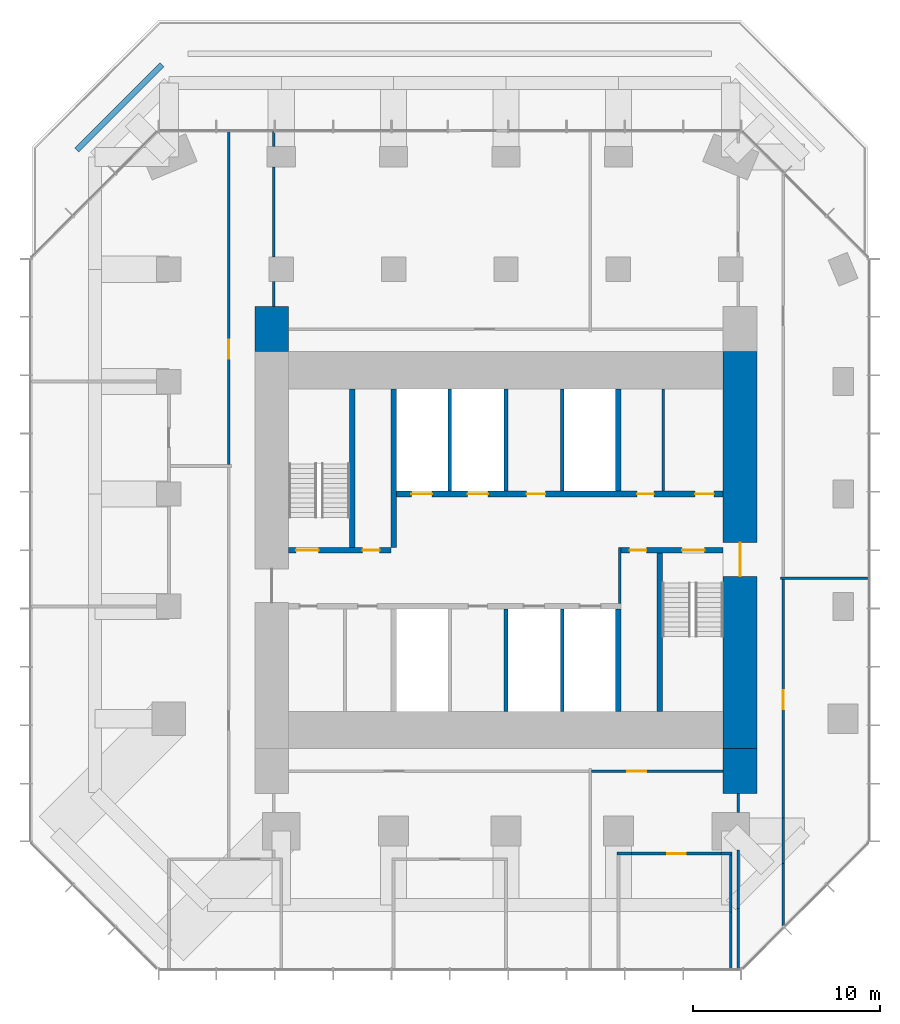
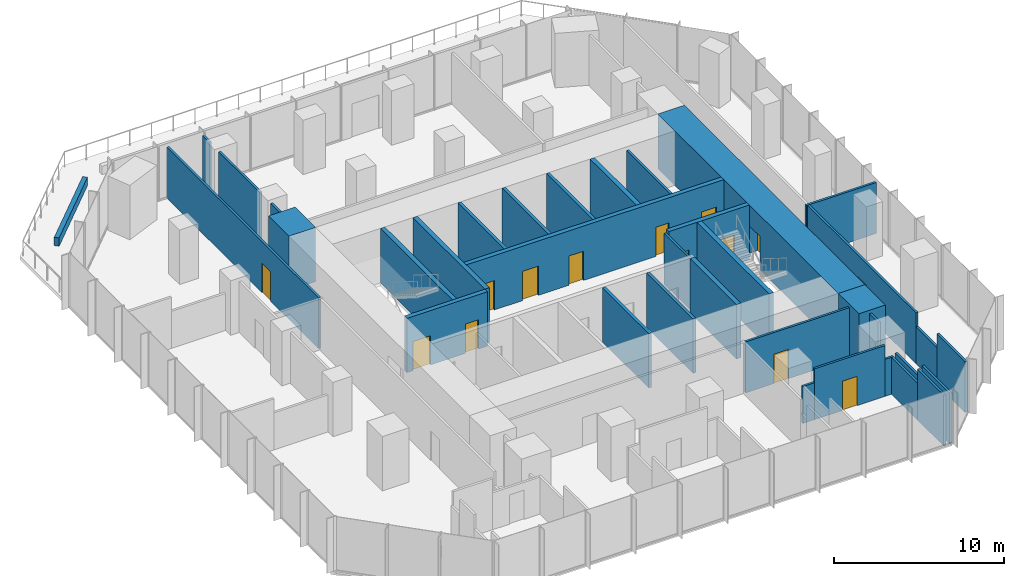
# One storey, part 9 of 11: 36 walls, 14 doors, 14 openings.
"""IFC4 building model written with IfcOpenShell, lengths in metres."""

from ifc_helpers import new_model, si_unit, direction, frame, frame_2d, origin, place, context, subcontext, project, spatial, rectangle, extrude, material, layer, layer_set, type_object, element, fill, save


model = new_model("IFC4")

# Units and contexts
model_context = context("Model", 3, precision=1e-05, world=origin(), true_north=direction((0.0, 1.0)))
body_context = subcontext(model_context, "Body", "Model", "MODEL_VIEW")
ifc_project = project(units=[si_unit("LENGTHUNIT", "METRE"), si_unit("AREAUNIT", "SQUARE_METRE"), si_unit("VOLUMEUNIT", "CUBIC_METRE"), si_unit("PLANEANGLEUNIT", "RADIAN"), si_unit("MASSUNIT", "GRAM", prefix="KILO")], contexts=[model_context])

# Site, building, storey
site_placement = place(None, origin())
site = spatial("IfcSite", under=ifc_project, at=site_placement, CompositionType="ELEMENT")
building_placement = place(site_placement, origin())
building = spatial("IfcBuilding", under=site, at=building_placement, Name="Highveld Stack Headquarters", CompositionType="ELEMENT")
storey_placement = place(building_placement, frame((0.0, 0.0, 212.300048828125)))
storey = spatial("IfcBuildingStorey", under=building, at=storey_placement, Name="L52", CompositionType="ELEMENT", Elevation=212.300048828125)

# Wall, opening, door
ifc_material_1 = material(Name="Concrete C60/75", Category="concrete")
ifc_layer_1 = layer(ifc_material_1, 1.800048828125)
ifc_layer_set_1 = layer_set([ifc_layer_1], Name="Concrete C60/75")
wall_type_1 = type_object("IfcWallType", Name="CORE WALL 1800 C60/75", PredefinedType="SHEAR", material=ifc_layer_set_1)
wall_1_placement = place(storey_placement, frame((18.5, -7.60009765625, 0.0), z_axis=(0.0, 0.0, 1.0), x_axis=(0.0, 1.0, 0.0)))
wall_1 = element("IfcWall", 1, at=wall_1_placement, inside=storey, type_object=wall_type_1, Name="Core wall E L52", PredefinedType="SHEAR", context=body_context, shape_type="SweptSolid", body=[
    extrude(rectangle(XDim=21.2001953125, YDim=1.800048828125, at=frame_2d((10.60009765625, 0.0))), origin(), (0.0, 0.0, 1.0), 3.89990234375),
])
opening_1_placement = place(wall_1_placement, frame((9.199951171875, 0.0, 0.0)))
opening_1 = element("IfcOpeningElement", 2, at=opening_1_placement, cuts=wall_1, Name="Opening L52-03", PredefinedType="OPENING", context=body_context, shape_type="SweptSolid", body=[
    extrude(rectangle(XDim=1.800048828125, YDim=2.39990234375, at=frame_2d((0.89990234375, 1.199951171875))), frame((0.0, 0.909912109375, 0.0), z_axis=(0.0, -1.0, 0.0), x_axis=(1.0, 0.0, 0.0)), (0.0, 0.0, 1.0), 1.820068359375),
])
ifc_material_2 = material(Name="Steel fire door", Category="steel")
door_type_1 = type_object("IfcDoorType", Name="LOBBY FIRE DOOR D4 1800x2400", OperationType="DOUBLE_DOOR_SINGLE_SWING", PredefinedType="DOOR", material=ifc_material_2)
door_1_placement = place(opening_1_placement, origin())
door_1 = element("IfcDoor", 3, at=door_1_placement, inside=storey, type_object=door_type_1, Name="Core east door L52", OperationType="DOUBLE_DOOR_SINGLE_SWING", OverallHeight=2.39990234375, OverallWidth=1.800048828125, PredefinedType="DOOR", context=body_context, shape_type="SweptSolid", body=[
    extrude(rectangle(XDim=1.800048828125, YDim=2.39990234375, at=frame_2d((0.89990234375, 1.199951171875))), frame((0.0, 0.02490234375, 0.0), z_axis=(0.0, -1.0, 0.0), x_axis=(1.0, 0.0, 0.0)), (0.0, 0.0, 1.0), 0.050048828125),
])
fill(opening_1, door_1)

# Wall, openings, doors
ifc_material_3 = material(Name="Concrete C60/75", Category="concrete")
ifc_layer_2 = layer(ifc_material_3, 0.300048828125)
ifc_layer_set_2 = layer_set([ifc_layer_2], Name="Concrete C60/75")
wall_type_2 = type_object("IfcWallType", Name="CORE WALL 300 C60/75", PredefinedType="SHEAR", material=ifc_layer_set_2)
wall_2_placement = place(storey_placement, frame((-5.60009765625, 3.0, 0.0), z_axis=(0.0, 0.0, 1.0), x_axis=(1.0, 0.0, 0.0)))
wall_2 = element("IfcWall", 4, at=wall_2_placement, inside=storey, type_object=wall_type_2, Name="Core wall I-Y3W L52", PredefinedType="SHEAR", context=body_context, shape_type="SweptSolid", body=[
    extrude(rectangle(XDim=5.4501953125, YDim=0.300048828125, at=frame_2d((2.72509765625, 0.0))), origin(), (0.0, 0.0, 1.0), 3.89990234375),
])
opening_2_placement = place(wall_2_placement, frame((0.39990234375, 0.0, 0.0)))
opening_2 = element("IfcOpeningElement", 5, at=opening_2_placement, cuts=wall_2, Name="Opening L52-04", PredefinedType="OPENING", context=body_context, shape_type="SweptSolid", body=[
    extrude(rectangle(XDim=1.199951171875, YDim=2.10009765625, at=frame_2d((0.60009765625, 1.050048828125))), frame((0.0, 0.159912109375, 0.0), z_axis=(0.0, -1.0, 0.0), x_axis=(1.0, 0.0, 0.0)), (0.0, 0.0, 1.0), 0.320068359375),
])
opening_3_placement = place(wall_2_placement, frame((3.949951171875, 0.0, 0.0)))
opening_3 = element("IfcOpeningElement", 6, at=opening_3_placement, cuts=wall_2, Name="Opening L52-05", PredefinedType="OPENING", context=body_context, shape_type="SweptSolid", body=[
    extrude(rectangle(XDim=0.89990234375, YDim=2.10009765625, at=frame_2d((0.449951171875, 1.050048828125))), frame((0.0, 0.159912109375, 0.0), z_axis=(0.0, -1.0, 0.0), x_axis=(1.0, 0.0, 0.0)), (0.0, 0.0, 1.0), 0.320068359375),
])
ifc_material_4 = material(Name="Steel fire door", Category="steel")
door_type_2 = type_object("IfcDoorType", Name="RISER ACCESS DOOR D5 900x2100", OperationType="SINGLE_SWING_LEFT", PredefinedType="DOOR", material=ifc_material_4)
door_2_placement = place(opening_3_placement, origin())
door_2 = element("IfcDoor", 7, at=door_2_placement, inside=storey, type_object=door_type_2, Name="Riser R1 door L52", OperationType="SINGLE_SWING_RIGHT", OverallHeight=2.10009765625, OverallWidth=0.89990234375, PredefinedType="DOOR", context=body_context, shape_type="SweptSolid", body=[
    extrude(rectangle(XDim=0.89990234375, YDim=2.10009765625, at=frame_2d((0.449951171875, 1.050048828125))), frame((0.0, 0.02490234375, 0.0), z_axis=(0.0, -1.0, 0.0), x_axis=(1.0, 0.0, 0.0)), (0.0, 0.0, 1.0), 0.050048828125),
])
fill(opening_3, door_2)
ifc_material_5 = material(Name="Steel fire door", Category="steel")
door_type_3 = type_object("IfcDoorType", Name="STAIR FIRE DOOR D3 1200x2100", OperationType="SINGLE_SWING_LEFT", PredefinedType="DOOR", material=ifc_material_5)
door_3_placement = place(opening_2_placement, origin())
door_3 = element("IfcDoor", 8, at=door_3_placement, inside=storey, type_object=door_type_3, Name="Stair S1 door L52", OperationType="SINGLE_SWING_LEFT", OverallHeight=2.10009765625, OverallWidth=1.199951171875, PredefinedType="DOOR", context=body_context, shape_type="SweptSolid", body=[
    extrude(rectangle(XDim=1.199951171875, YDim=2.10009765625, at=frame_2d((0.60009765625, 1.050048828125))), frame((0.0, 0.02490234375, 0.0), z_axis=(0.0, -1.0, 0.0), x_axis=(1.0, 0.0, 0.0)), (0.0, 0.0, 1.0), 0.050048828125),
])
fill(opening_2, door_3)

wall_3_placement = place(storey_placement, frame((12.14990234375, 3.0, 0.0), z_axis=(0.0, 0.0, 1.0), x_axis=(1.0, 0.0, 0.0)))
wall_3 = element("IfcWall", 9, at=wall_3_placement, inside=storey, type_object=wall_type_2, Name="Core wall I-Y3E L52", PredefinedType="SHEAR", context=body_context, shape_type="SweptSolid", body=[
    extrude(rectangle(XDim=5.4501953125, YDim=0.300048828125, at=frame_2d((2.72509765625, 0.0))), origin(), (0.0, 0.0, 1.0), 3.89990234375),
])
opening_4_placement = place(wall_3_placement, frame((3.25, 0.0, 0.0)))
opening_4 = element("IfcOpeningElement", 10, at=opening_4_placement, cuts=wall_3, Name="Opening L52-06", PredefinedType="OPENING", context=body_context, shape_type="SweptSolid", body=[
    extrude(rectangle(XDim=1.199951171875, YDim=2.10009765625, at=frame_2d((0.60009765625, 1.050048828125))), frame((0.0, 0.159912109375, 0.0), z_axis=(0.0, -1.0, 0.0), x_axis=(1.0, 0.0, 0.0)), (0.0, 0.0, 1.0), 0.320068359375),
])
opening_5_placement = place(wall_3_placement, frame((0.449951171875, 0.0, 0.0)))
opening_5 = element("IfcOpeningElement", 11, at=opening_5_placement, cuts=wall_3, Name="Opening L52-07", PredefinedType="OPENING", context=body_context, shape_type="SweptSolid", body=[
    extrude(rectangle(XDim=0.89990234375, YDim=2.10009765625, at=frame_2d((0.449951171875, 1.050048828125))), frame((0.0, 0.159912109375, 0.0), z_axis=(0.0, -1.0, 0.0), x_axis=(1.0, 0.0, 0.0)), (0.0, 0.0, 1.0), 0.320068359375),
])
door_4_placement = place(opening_5_placement, origin())
door_4 = element("IfcDoor", 12, at=door_4_placement, inside=storey, type_object=door_type_2, Name="Riser R2 door L52", OperationType="SINGLE_SWING_LEFT", OverallHeight=2.10009765625, OverallWidth=0.89990234375, PredefinedType="DOOR", context=body_context, shape_type="SweptSolid", body=[
    extrude(rectangle(XDim=0.89990234375, YDim=2.10009765625, at=frame_2d((0.449951171875, 1.050048828125))), frame((0.0, 0.02490234375, 0.0), z_axis=(0.0, -1.0, 0.0), x_axis=(1.0, 0.0, 0.0)), (0.0, 0.0, 1.0), 0.050048828125),
])
fill(opening_5, door_4)
door_5_placement = place(opening_4_placement, origin())
door_5 = element("IfcDoor", 13, at=door_5_placement, inside=storey, type_object=door_type_3, Name="Stair S2 door L52", OperationType="SINGLE_SWING_RIGHT", OverallHeight=2.10009765625, OverallWidth=1.199951171875, PredefinedType="DOOR", context=body_context, shape_type="SweptSolid", body=[
    extrude(rectangle(XDim=1.199951171875, YDim=2.10009765625, at=frame_2d((0.60009765625, 1.050048828125))), frame((0.0, 0.02490234375, 0.0), z_axis=(0.0, -1.0, 0.0), x_axis=(1.0, 0.0, 0.0)), (0.0, 0.0, 1.0), 0.050048828125),
])
fill(opening_4, door_5)

wall_4_placement = place(storey_placement, frame((-0.14990234375, 6.0, 0.0), z_axis=(0.0, 0.0, 1.0), x_axis=(1.0, 0.0, 0.0)))
wall_4 = element("IfcWall", 14, at=wall_4_placement, inside=storey, type_object=wall_type_2, Name="Core wall I-Y6 L52", PredefinedType="SHEAR", context=body_context, shape_type="SweptSolid", body=[
    extrude(rectangle(XDim=17.75, YDim=0.300048828125, at=frame_2d((8.875, 0.0))), origin(), (0.0, 0.0, 1.0), 3.89990234375),
])
opening_6_placement = place(wall_4_placement, frame((13.14990234375, 0.0, 0.0)))
opening_6 = element("IfcOpeningElement", 15, at=opening_6_placement, cuts=wall_4, Name="Opening L52-10", PredefinedType="OPENING", context=body_context, shape_type="SweptSolid", body=[
    extrude(rectangle(XDim=0.89990234375, YDim=2.10009765625, at=frame_2d((0.449951171875, 1.050048828125))), frame((0.0, 0.159912109375, 0.0), z_axis=(0.0, -1.0, 0.0), x_axis=(1.0, 0.0, 0.0)), (0.0, 0.0, 1.0), 0.320068359375),
])
opening_7_placement = place(wall_4_placement, frame((16.25, 0.0, 0.0)))
opening_7 = element("IfcOpeningElement", 16, at=opening_7_placement, cuts=wall_4, Name="Opening L52-11", PredefinedType="OPENING", context=body_context, shape_type="SweptSolid", body=[
    extrude(rectangle(XDim=1.0, YDim=2.10009765625, at=frame_2d((0.5, 1.050048828125))), frame((0.0, 0.159912109375, 0.0), z_axis=(0.0, -1.0, 0.0), x_axis=(1.0, 0.0, 0.0)), (0.0, 0.0, 1.0), 0.320068359375),
])
opening_8_placement = place(wall_4_placement, frame((7.25, 0.0, 0.0)))
opening_8 = element("IfcOpeningElement", 17, at=opening_8_placement, cuts=wall_4, Name="Opening L52-12", PredefinedType="OPENING", context=body_context, shape_type="SweptSolid", body=[
    extrude(rectangle(XDim=1.0, YDim=2.10009765625, at=frame_2d((0.5, 1.050048828125))), frame((0.0, 0.159912109375, 0.0), z_axis=(0.0, -1.0, 0.0), x_axis=(1.0, 0.0, 0.0)), (0.0, 0.0, 1.0), 0.320068359375),
])
opening_9_placement = place(wall_4_placement, frame((1.10009765625, 0.0, 0.0)))
opening_9 = element("IfcOpeningElement", 18, at=opening_9_placement, cuts=wall_4, Name="Opening LD", PredefinedType="OPENING", context=body_context, shape_type="SweptSolid", body=[
    extrude(rectangle(XDim=1.10009765625, YDim=2.10009765625, at=frame_2d((0.550048828125, 1.050048828125))), frame((0.0, 0.159912109375, 0.0), z_axis=(0.0, -1.0, 0.0), x_axis=(1.0, 0.0, 0.0)), (0.0, 0.0, 1.0), 0.320068359375),
])
opening_10_placement = place(wall_4_placement, frame((4.10009765625, 0.0, 0.0)))
opening_10 = element("IfcOpeningElement", 19, at=opening_10_placement, cuts=wall_4, Name="Opening LD", PredefinedType="OPENING", context=body_context, shape_type="SweptSolid", body=[
    extrude(rectangle(XDim=1.10009765625, YDim=2.10009765625, at=frame_2d((0.550048828125, 1.050048828125))), frame((0.0, 0.159912109375, 0.0), z_axis=(0.0, -1.0, 0.0), x_axis=(1.0, 0.0, 0.0)), (0.0, 0.0, 1.0), 0.320068359375),
])
ifc_material_6 = material(Name="Timber door, painted", Category="wood")
door_type_4 = type_object("IfcDoorType", Name="ACCESSIBLE WC DOOR D2 1000x2100", OperationType="SINGLE_SWING_RIGHT", PredefinedType="DOOR", material=ifc_material_6)
door_6_placement = place(opening_7_placement, origin())
door_6 = element("IfcDoor", 20, at=door_6_placement, inside=storey, type_object=door_type_4, Name="Accessible WC door L52", OperationType="SINGLE_SWING_RIGHT", OverallHeight=2.10009765625, OverallWidth=1.0, PredefinedType="DOOR", context=body_context, shape_type="SweptSolid", body=[
    extrude(rectangle(XDim=1.0, YDim=2.10009765625, at=frame_2d((0.5, 1.050048828125))), frame((0.0, 0.02490234375, 0.0), z_axis=(0.0, -1.0, 0.0), x_axis=(1.0, 0.0, 0.0)), (0.0, 0.0, 1.0), 0.050048828125),
])
fill(opening_7, door_6)
ifc_material_7 = material(Name="Steel fire door", Category="steel")
door_type_5 = type_object("IfcDoorType", Name="CORE ROOM FIRE DOOR D14 1000x2100", OperationType="SINGLE_SWING_LEFT", PredefinedType="DOOR", material=ifc_material_7)
door_7_placement = place(opening_8_placement, origin())
door_7 = element("IfcDoor", 21, at=door_7_placement, inside=storey, type_object=door_type_5, Name="Capped A 1 door L52", OperationType="SINGLE_SWING_LEFT", OverallHeight=2.10009765625, OverallWidth=1.0, PredefinedType="DOOR", context=body_context, shape_type="SweptSolid", body=[
    extrude(rectangle(XDim=1.0, YDim=2.10009765625, at=frame_2d((0.5, 1.050048828125))), frame((0.0, 0.02490234375, 0.0), z_axis=(0.0, -1.0, 0.0), x_axis=(1.0, 0.0, 0.0)), (0.0, 0.0, 1.0), 0.050048828125),
])
fill(opening_8, door_7)
ifc_material_8 = material(Name="Stainless steel lift landing door", Category="steel")
door_type_6 = type_object("IfcDoorType", Name="LIFT LANDING DOOR LD 1100x2100", OperationType="DOUBLE_DOOR_SLIDING", PredefinedType="USERDEFINED", material=ifc_material_8)
door_8_placement = place(opening_9_placement, origin())
door_8 = element("IfcDoor", 22, at=door_8_placement, inside=storey, type_object=door_type_6, Name="Lift landing door FF1 L52", ObjectType="LIFT LANDING DOOR", OperationType="DOUBLE_DOOR_SLIDING", OverallHeight=2.10009765625, OverallWidth=1.10009765625, PredefinedType="USERDEFINED", context=body_context, shape_type="SweptSolid", body=[
    extrude(rectangle(XDim=1.10009765625, YDim=2.10009765625, at=frame_2d((0.550048828125, 1.050048828125))), frame((0.0, 0.02490234375, 0.0), z_axis=(0.0, -1.0, 0.0), x_axis=(1.0, 0.0, 0.0)), (0.0, 0.0, 1.0), 0.050048828125),
])
fill(opening_9, door_8)
door_9_placement = place(opening_10_placement, origin())
door_9 = element("IfcDoor", 23, at=door_9_placement, inside=storey, type_object=door_type_6, Name="Lift landing door FF2 L52", ObjectType="LIFT LANDING DOOR", OperationType="DOUBLE_DOOR_SLIDING", OverallHeight=2.10009765625, OverallWidth=1.10009765625, PredefinedType="USERDEFINED", context=body_context, shape_type="SweptSolid", body=[
    extrude(rectangle(XDim=1.10009765625, YDim=2.10009765625, at=frame_2d((0.550048828125, 1.050048828125))), frame((0.0, 0.02490234375, 0.0), z_axis=(0.0, -1.0, 0.0), x_axis=(1.0, 0.0, 0.0)), (0.0, 0.0, 1.0), 0.050048828125),
])
fill(opening_10, door_9)
ifc_material_9 = material(Name="Timber door, painted", Category="wood")
door_type_7 = type_object("IfcDoorType", Name="WC DOOR D1 900x2100", OperationType="SINGLE_SWING_LEFT", PredefinedType="DOOR", material=ifc_material_9)
door_10_placement = place(opening_6_placement, origin())
door_10 = element("IfcDoor", 24, at=door_10_placement, inside=storey, type_object=door_type_7, Name="Male WC door L52", OperationType="SINGLE_SWING_RIGHT", OverallHeight=2.10009765625, OverallWidth=0.89990234375, PredefinedType="DOOR", context=body_context, shape_type="SweptSolid", body=[
    extrude(rectangle(XDim=0.89990234375, YDim=2.10009765625, at=frame_2d((0.449951171875, 1.050048828125))), frame((0.0, 0.02490234375, 0.0), z_axis=(0.0, -1.0, 0.0), x_axis=(1.0, 0.0, 0.0)), (0.0, 0.0, 1.0), 0.050048828125),
])
fill(opening_6, door_10)

# Walls
wall_5_placement = place(storey_placement, frame((0.0, 3.14990234375, 0.0), z_axis=(0.0, 0.0, 1.0), x_axis=(0.0, 1.0, 0.0)))
element("IfcWall", 25, at=wall_5_placement, inside=storey, type_object=wall_type_2, Name="Core wall I-X0N L52", PredefinedType="SHEAR", context=body_context, shape_type="SweptSolid", body=[
    extrude(rectangle(XDim=8.4501953125, YDim=0.300048828125, at=frame_2d((4.22509765625, 0.0))), origin(), (0.0, 0.0, 1.0), 3.89990234375),
])
for number, where, z_axis, x_axis, name in (
    (26, (12.0, -5.60009765625, 0.0), (0.0, 0.0, 1.0), (0.0, 1.0, 0.0), "Core wall I-X12S L52"),
    (27, (12.0, 6.14990234375, 0.0), (0.0, 0.0, 1.0), (0.0, 1.0, 0.0), "Core wall I-X12N L52"),
):
    element("IfcWall", number, at=place(storey_placement, frame(where, z_axis=z_axis, x_axis=x_axis)), inside=storey, type_object=wall_type_2, Name=name, PredefinedType="SHEAR", context=body_context, shape_type="SweptSolid", body=[
        extrude(rectangle(XDim=5.4501953125, YDim=0.300048828125, at=frame_2d((2.72509765625, 0.0))), origin(), (0.0, 0.0, 1.0), 3.89990234375),
    ])
for number, where, z_axis, x_axis, name in (
    (28, (-2.199951171875, 3.14990234375, 0.0), (0.0, 0.0, 1.0), (0.0, 1.0, 0.0), "Core wall I-RW L52"),
    (29, (14.199951171875, -5.60009765625, 0.0), (0.0, 0.0, 1.0), (0.0, 1.0, 0.0), "Core wall I-RE L52"),
):
    element("IfcWall", number, at=place(storey_placement, frame(where, z_axis=z_axis, x_axis=x_axis)), inside=storey, type_object=wall_type_2, Name=name, PredefinedType="SHEAR", context=body_context, shape_type="SweptSolid", body=[
        extrude(rectangle(XDim=8.4501953125, YDim=0.300048828125, at=frame_2d((4.22509765625, 0.0))), origin(), (0.0, 0.0, 1.0), 3.89990234375),
    ])
ifc_material_10 = material(Name="Concrete C60/75", Category="concrete")
ifc_layer_3 = layer(ifc_material_10, 1.800048828125)
ifc_layer_set_3 = layer_set([ifc_layer_3], Name="Concrete C60/75")
wall_type_3 = type_object("IfcWallType", Name="CORE WING WALL 1800 C60/75", PredefinedType="SHEAR", material=ifc_layer_set_3)
for number, where, z_axis, x_axis, name in (
    (30, (-6.5, 13.60009765625, 0.0), (0.0, 0.0, 1.0), (0.0, 1.0, 0.0), "Core wing wall WN L52"),
    (31, (18.5, -10.0, 0.0), (0.0, 0.0, 1.0), (0.0, 1.0, 0.0), "Core wing wall ES L52"),
):
    element("IfcWall", number, at=place(storey_placement, frame(where, z_axis=z_axis, x_axis=x_axis)), inside=storey, type_object=wall_type_3, Name=name, PredefinedType="SHEAR", context=body_context, shape_type="SweptSolid", body=[
        extrude(rectangle(XDim=2.39990234375, YDim=1.800048828125, at=frame_2d((1.199951171875, 0.0))), origin(), (0.0, 0.0, 1.0), 3.89990234375),
    ])
ifc_material_11 = material(Name="Concrete blockwork, plastered", Category="masonry")
ifc_layer_4 = layer(ifc_material_11, 0.14990234375)
ifc_layer_set_4 = layer_set([ifc_layer_4], Name="Concrete blockwork, plastered")
wall_type_4 = type_object("IfcWallType", Name="FIRE PARTITION 150 BLOCKWORK", PredefinedType="PARTITIONING", material=ifc_layer_set_4)
wall_6_placement = place(storey_placement, frame((12.074951171875, 0.14990234375, 0.0), z_axis=(0.0, 0.0, 1.0), x_axis=(0.0, 1.0, 0.0)))
element("IfcWall", 32, at=wall_6_placement, inside=storey, type_object=wall_type_4, Name="Riser R2 enclosure L52", PredefinedType="PARTITIONING", context=body_context, shape_type="SweptSolid", body=[
    extrude(rectangle(XDim=3.0, YDim=0.14990234375, at=frame_2d((1.5, 0.0))), origin(), (0.0, 0.0, 1.0), 3.64990234375),
])
ifc_material_12 = material(Name="Concrete blockwork, fair-faced", Category="masonry")
ifc_layer_5 = layer(ifc_material_12, 0.199951171875)
ifc_layer_set_5 = layer_set([ifc_layer_5], Name="Concrete blockwork, fair-faced")
wall_type_5 = type_object("IfcWallType", Name="LIFT SHAFT ENCLOSURE WALL 200 BLOCKWORK", PredefinedType="SOLIDWALL", material=ifc_layer_set_5)
for number, where, z_axis, x_axis, name in (
    (33, (3.0, 6.14990234375, 0.0), (0.0, 0.0, 1.0), (0.0, 1.0, 0.0), "Lift shaft wall L52"),
    (34, (6.0, 6.14990234375, 0.0), (0.0, 0.0, 1.0), (0.0, 1.0, 0.0), "Lift shaft wall L52"),
    (35, (9.0, 6.14990234375, 0.0), (0.0, 0.0, 1.0), (0.0, 1.0, 0.0), "Lift shaft wall L52"),
    (36, (6.0, -5.60009765625, 0.0), (0.0, 0.0, 1.0), (0.0, 1.0, 0.0), "Lift shaft wall L52"),
    (37, (9.0, -5.60009765625, 0.0), (0.0, 0.0, 1.0), (0.0, 1.0, 0.0), "Lift shaft wall L52"),
):
    element("IfcWall", number, at=place(storey_placement, frame(where, z_axis=z_axis, x_axis=x_axis)), inside=storey, type_object=wall_type_5, Name=name, PredefinedType="SOLIDWALL", context=body_context, shape_type="SweptSolid", body=[
        extrude(rectangle(XDim=5.4501953125, YDim=0.199951171875, at=frame_2d((2.72509765625, 0.0))), origin(), (0.0, 0.0, 1.0), 3.89990234375),
    ])
ifc_material_13 = material(Name="Gypsum plasterboard on steel studs", Category="steel")
ifc_layer_6 = layer(ifc_material_13, 0.14990234375)
ifc_layer_set_6 = layer_set([ifc_layer_6], Name="Gypsum plasterboard on steel studs")
wall_type_6 = type_object("IfcWallType", Name="PARTITION 150 PLASTERBOARD", PredefinedType="PARTITIONING", material=ifc_layer_set_6)
wall_7_placement = place(storey_placement, frame((11.925048828125, -13.199951171875, 0.0), z_axis=(0.0, 0.0, 1.0), x_axis=(1.0, 0.0, 0.0)))
element("IfcWall", 38, at=wall_7_placement, inside=storey, type_object=wall_type_6, Name="Partition Tea kitchen L52", PredefinedType="PARTITIONING", context=body_context, shape_type="SweptSolid", body=[
    extrude(rectangle(XDim=0.784912109375, YDim=0.14990234375, at=frame_2d((0.392578125, 0.0))), origin(), (0.0, 0.0, 1.0), 2.64990234375),
])

# Wall, opening, door
wall_8_placement = place(storey_placement, frame((12.7099609375, -13.199951171875, 0.0), z_axis=(0.0, 0.0, 1.0), x_axis=(1.0, 0.0, 0.0)))
wall_8 = element("IfcWall", 39, at=wall_8_placement, inside=storey, type_object=wall_type_6, Name="Partition Tea kitchen L52", PredefinedType="PARTITIONING", context=body_context, shape_type="SweptSolid", body=[
    extrude(rectangle(XDim=4.780029296875, YDim=0.14990234375, at=frame_2d((2.39013671875, 0.0))), origin(), (0.0, 0.0, 1.0), 3.64990234375),
])
opening_11_placement = place(wall_8_placement, frame((1.889892578125, 0.0, 0.0)))
opening_11 = element("IfcOpeningElement", 40, at=opening_11_placement, cuts=wall_8, Name="Opening L52-16", PredefinedType="OPENING", context=body_context, shape_type="SweptSolid", body=[
    extrude(rectangle(XDim=1.0, YDim=2.10009765625, at=frame_2d((0.5, 1.050048828125))), frame((0.0, 0.0849609375, 0.0), z_axis=(0.0, -1.0, 0.0), x_axis=(1.0, 0.0, 0.0)), (0.0, 0.0, 1.0), 0.169921875),
])
ifc_material_14 = material(Name="Timber door, oiled ash", Category="wood")
door_type_8 = type_object("IfcDoorType", Name="ROOM DOOR D6 1000x2100", OperationType="SINGLE_SWING_LEFT", PredefinedType="DOOR", material=ifc_material_14)
door_11_placement = place(opening_11_placement, origin())
door_11 = element("IfcDoor", 41, at=door_11_placement, inside=storey, type_object=door_type_8, Name="Tea kitchen door 1 L52", OperationType="SINGLE_SWING_LEFT", OverallHeight=2.10009765625, OverallWidth=1.0, PredefinedType="DOOR", context=body_context, shape_type="SweptSolid", body=[
    extrude(rectangle(XDim=1.0, YDim=2.10009765625, at=frame_2d((0.5, 1.050048828125))), frame((0.0, 0.02490234375, 0.0), z_axis=(0.0, -1.0, 0.0), x_axis=(1.0, 0.0, 0.0)), (0.0, 0.0, 1.0), 0.050048828125),
])
fill(opening_11, door_11)

# Walls
wall_9_placement = place(storey_placement, frame((17.489990234375, -13.199951171875, 0.0), z_axis=(0.0, 0.0, 1.0), x_axis=(1.0, 0.0, 0.0)))
element("IfcWall", 42, at=wall_9_placement, inside=storey, type_object=wall_type_6, Name="Partition Tea kitchen L52", PredefinedType="PARTITIONING", context=body_context, shape_type="SweptSolid", body=[
    extrude(rectangle(XDim=0.5849609375, YDim=0.14990234375, at=frame_2d((0.29248046875, 0.0))), origin(), (0.0, 0.0, 1.0), 2.64990234375),
])
wall_10_placement = place(storey_placement, frame((18.0, -19.39990234375, 0.0), z_axis=(0.0, 0.0, 1.0), x_axis=(0.0, 1.0, 0.0)))
element("IfcWall", 43, at=wall_10_placement, inside=storey, type_object=wall_type_6, Name="Partition Tea kitchen L52", PredefinedType="PARTITIONING", context=body_context, shape_type="SweptSolid", body=[
    extrude(rectangle(XDim=3.08984375, YDim=0.14990234375, at=frame_2d((1.544921875, 0.0))), origin(), (0.0, 0.0, 1.0), 3.64990234375),
])
wall_11_placement = place(storey_placement, frame((18.0, -16.31005859375, 0.0), z_axis=(0.0, 0.0, 1.0), x_axis=(0.0, 1.0, 0.0)))
element("IfcWall", 44, at=wall_11_placement, inside=storey, type_object=wall_type_6, Name="Partition Tea kitchen L52", PredefinedType="PARTITIONING", context=body_context, shape_type="SweptSolid", body=[
    extrude(rectangle(XDim=3.03515625, YDim=0.14990234375, at=frame_2d((1.517578125, 0.0))), origin(), (0.0, 0.0, 1.0), 2.64990234375),
])

# Wall, opening, door
wall_12_placement = place(storey_placement, frame((-8.800048828125, 7.574951171875, 0.0), z_axis=(0.0, 0.0, 1.0), x_axis=(0.0, 1.0, 0.0)))
wall_12 = element("IfcWall", 45, at=wall_12_placement, inside=storey, type_object=wall_type_6, Name="Partition office neighbourhood L52", PredefinedType="PARTITIONING", context=body_context, shape_type="SweptSolid", body=[
    extrude(rectangle(XDim=17.824951171875, YDim=0.14990234375, at=frame_2d((8.91259765625, 0.0))), origin(), (0.0, 0.0, 1.0), 3.64990234375),
])
opening_12_placement = place(wall_12_placement, frame((5.655029296875, 0.0, 0.0)))
opening_12 = element("IfcOpeningElement", 46, at=opening_12_placement, cuts=wall_12, Name="Opening L52-22", PredefinedType="OPENING", context=body_context, shape_type="SweptSolid", body=[
    extrude(rectangle(XDim=1.0, YDim=2.10009765625, at=frame_2d((0.5, 1.050048828125))), frame((0.0, 0.0849609375, 0.0), z_axis=(0.0, -1.0, 0.0), x_axis=(1.0, 0.0, 0.0)), (0.0, 0.0, 1.0), 0.169921875),
])
door_12_placement = place(opening_12_placement, origin())
door_12 = element("IfcDoor", 47, at=door_12_placement, inside=storey, type_object=door_type_8, Name="Office neighbourhood door L52", OperationType="SINGLE_SWING_LEFT", OverallHeight=2.10009765625, OverallWidth=1.0, PredefinedType="DOOR", context=body_context, shape_type="SweptSolid", body=[
    extrude(rectangle(XDim=1.0, YDim=2.10009765625, at=frame_2d((0.5, 1.050048828125))), frame((0.0, 0.02490234375, 0.0), z_axis=(0.0, -1.0, 0.0), x_axis=(1.0, 0.0, 0.0)), (0.0, 0.0, 1.0), 0.050048828125),
])
fill(opening_12, door_12)

# Walls
wall_13_placement = place(storey_placement, frame((-6.39990234375, 16.0, 0.0), z_axis=(0.0, 0.0, 1.0), x_axis=(0.0, 1.0, 0.0)))
element("IfcWall", 48, at=wall_13_placement, inside=storey, type_object=wall_type_6, Name="Partition office neighbourhood L52", PredefinedType="PARTITIONING", context=body_context, shape_type="SweptSolid", body=[
    extrude(rectangle(XDim=1.35009765625, YDim=0.14990234375, at=frame_2d((0.675048828125, 0.0))), origin(), (0.0, 0.0, 1.0), 3.64990234375),
])
wall_14_placement = place(storey_placement, frame((-6.39990234375, 18.64990234375, 0.0), z_axis=(0.0, 0.0, 1.0), x_axis=(0.0, 1.0, 0.0)))
element("IfcWall", 49, at=wall_14_placement, inside=storey, type_object=wall_type_6, Name="Partition office neighbourhood L52", PredefinedType="PARTITIONING", context=body_context, shape_type="SweptSolid", body=[
    extrude(rectangle(XDim=4.800048828125, YDim=0.14990234375, at=frame_2d((2.39990234375, 0.0))), origin(), (0.0, 0.0, 1.0), 3.64990234375),
])
wall_15_placement = place(storey_placement, frame((-6.39990234375, 24.550048828125, 0.0), z_axis=(0.0, 0.0, 1.0), x_axis=(0.0, 1.0, 0.0)))
element("IfcWall", 50, at=wall_15_placement, inside=storey, type_object=wall_type_6, Name="Partition office neighbourhood L52", PredefinedType="PARTITIONING", context=body_context, shape_type="SweptSolid", body=[
    extrude(rectangle(XDim=0.800048828125, YDim=0.14990234375, at=frame_2d((0.39990234375, 0.0))), origin(), (0.0, 0.0, 1.0), 3.64990234375),
])

# Wall, opening, door
wall_16_placement = place(storey_placement, frame((10.574951171875, -8.800048828125, 0.0), z_axis=(0.0, 0.0, 1.0), x_axis=(1.0, 0.0, 0.0)))
wall_16 = element("IfcWall", 51, at=wall_16_placement, inside=storey, type_object=wall_type_6, Name="Partition office neighbourhood L52", PredefinedType="PARTITIONING", context=body_context, shape_type="SweptSolid", body=[
    extrude(rectangle(XDim=7.025146484375, YDim=0.14990234375, at=frame_2d((3.5126953125, 0.0))), origin(), (0.0, 0.0, 1.0), 3.64990234375),
])
opening_13_placement = place(wall_16_placement, frame((1.909912109375, 0.0, 0.0)))
opening_13 = element("IfcOpeningElement", 52, at=opening_13_placement, cuts=wall_16, Name="Opening L52-25", PredefinedType="OPENING", context=body_context, shape_type="SweptSolid", body=[
    extrude(rectangle(XDim=1.0, YDim=2.10009765625, at=frame_2d((0.5, 1.050048828125))), frame((0.0, 0.0849609375, 0.0), z_axis=(0.0, -1.0, 0.0), x_axis=(1.0, 0.0, 0.0)), (0.0, 0.0, 1.0), 0.169921875),
])
door_13_placement = place(opening_13_placement, origin())
door_13 = element("IfcDoor", 53, at=door_13_placement, inside=storey, type_object=door_type_8, Name="Office neighbourhood door L52", OperationType="SINGLE_SWING_LEFT", OverallHeight=2.10009765625, OverallWidth=1.0, PredefinedType="DOOR", context=body_context, shape_type="SweptSolid", body=[
    extrude(rectangle(XDim=1.0, YDim=2.10009765625, at=frame_2d((0.5, 1.050048828125))), frame((0.0, 0.02490234375, 0.0), z_axis=(0.0, -1.0, 0.0), x_axis=(1.0, 0.0, 0.0)), (0.0, 0.0, 1.0), 0.050048828125),
])
fill(opening_13, door_13)

# Walls
wall_17_placement = place(storey_placement, frame((18.39990234375, -19.39990234375, 0.0), z_axis=(0.0, 0.0, 1.0), x_axis=(0.0, 1.0, 0.0)))
element("IfcWall", 54, at=wall_17_placement, inside=storey, type_object=wall_type_6, Name="Partition office neighbourhood L52", PredefinedType="PARTITIONING", context=body_context, shape_type="SweptSolid", body=[
    extrude(rectangle(XDim=3.260009765625, YDim=0.14990234375, at=frame_2d((1.6298828125, 0.0))), origin(), (0.0, 0.0, 1.0), 3.64990234375),
])
wall_18_placement = place(storey_placement, frame((18.39990234375, -16.139892578125, 0.0), z_axis=(0.0, 0.0, 1.0), x_axis=(0.0, 1.0, 0.0)))
element("IfcWall", 55, at=wall_18_placement, inside=storey, type_object=wall_type_6, Name="Partition office neighbourhood L52", PredefinedType="PARTITIONING", context=body_context, shape_type="SweptSolid", body=[
    extrude(rectangle(XDim=3.139892578125, YDim=0.14990234375, at=frame_2d((1.56982421875, 0.0))), origin(), (0.0, 0.0, 1.0), 2.64990234375),
])
wall_19_placement = place(storey_placement, frame((18.39990234375, -11.0, 0.0), z_axis=(0.0, 0.0, 1.0), x_axis=(0.0, 1.0, 0.0)))
element("IfcWall", 56, at=wall_19_placement, inside=storey, type_object=wall_type_6, Name="Partition office neighbourhood L52", PredefinedType="PARTITIONING", context=body_context, shape_type="SweptSolid", body=[
    extrude(rectangle(XDim=1.0, YDim=0.14990234375, at=frame_2d((0.5, 0.0))), origin(), (0.0, 0.0, 1.0), 3.64990234375),
])
wall_20_placement = place(storey_placement, frame((20.800048828125, -17.06396484375, 0.0), z_axis=(0.0, 0.0, 1.0), x_axis=(0.0, 1.0, 0.0)))
element("IfcWall", 57, at=wall_20_placement, inside=storey, type_object=wall_type_6, Name="Partition office neighbourhood L52", PredefinedType="PARTITIONING", context=body_context, shape_type="SweptSolid", body=[
    extrude(rectangle(XDim=3.323974609375, YDim=0.14990234375, at=frame_2d((1.662109375, 0.0))), origin(), (0.0, 0.0, 1.0), 3.64990234375),
])
wall_21_placement = place(storey_placement, frame((20.800048828125, -13.739990234375, 0.0), z_axis=(0.0, 0.0, 1.0), x_axis=(0.0, 1.0, 0.0)))
element("IfcWall", 58, at=wall_21_placement, inside=storey, type_object=wall_type_6, Name="Partition office neighbourhood L52", PredefinedType="PARTITIONING", context=body_context, shape_type="SweptSolid", body=[
    extrude(rectangle(XDim=2.449951171875, YDim=0.14990234375, at=frame_2d((1.22509765625, 0.0))), origin(), (0.0, 0.0, 1.0), 2.64990234375),
])

# Wall, opening, door
wall_22_placement = place(storey_placement, frame((20.800048828125, -11.2900390625, 0.0), z_axis=(0.0, 0.0, 1.0), x_axis=(0.0, 1.0, 0.0)))
wall_22 = element("IfcWall", 59, at=wall_22_placement, inside=storey, type_object=wall_type_6, Name="Partition office neighbourhood L52", PredefinedType="PARTITIONING", context=body_context, shape_type="SweptSolid", body=[
    extrude(rectangle(XDim=12.715087890625, YDim=0.14990234375, at=frame_2d((6.357421875, 0.0))), origin(), (0.0, 0.0, 1.0), 3.64990234375),
])
opening_14_placement = place(wall_22_placement, frame((5.801025390625, 0.0, 0.0)))
opening_14 = element("IfcOpeningElement", 60, at=opening_14_placement, cuts=wall_22, Name="Opening L52-19", PredefinedType="OPENING", context=body_context, shape_type="SweptSolid", body=[
    extrude(rectangle(XDim=1.0, YDim=2.10009765625, at=frame_2d((0.5, 1.050048828125))), frame((0.0, 0.0849609375, 0.0), z_axis=(0.0, -1.0, 0.0), x_axis=(1.0, 0.0, 0.0)), (0.0, 0.0, 1.0), 0.169921875),
])
door_14_placement = place(opening_14_placement, origin())
door_14 = element("IfcDoor", 61, at=door_14_placement, inside=storey, type_object=door_type_8, Name="Office neighbourhood door L52", OperationType="SINGLE_SWING_LEFT", OverallHeight=2.10009765625, OverallWidth=1.0, PredefinedType="DOOR", context=body_context, shape_type="SweptSolid", body=[
    extrude(rectangle(XDim=1.0, YDim=2.10009765625, at=frame_2d((0.5, 1.050048828125))), frame((0.0, 0.02490234375, 0.0), z_axis=(0.0, -1.0, 0.0), x_axis=(1.0, 0.0, 0.0)), (0.0, 0.0, 1.0), 0.050048828125),
])
fill(opening_14, door_14)

# Walls
wall_23_placement = place(storey_placement, frame((20.64990234375, 1.5, 0.0), z_axis=(0.0, 0.0, 1.0), x_axis=(1.0, 0.0, 0.0)))
element("IfcWall", 62, at=wall_23_placement, inside=storey, type_object=wall_type_6, Name="Partition office neighbourhood L52", PredefinedType="PARTITIONING", context=body_context, shape_type="SweptSolid", body=[
    extrude(rectangle(XDim=4.75, YDim=0.14990234375, at=frame_2d((2.375, 0.0))), origin(), (0.0, 0.0, 1.0), 3.64990234375),
])
ifc_material_15 = material(Name="Concrete C40/50, precast planter", Category="concrete")
ifc_layer_7 = layer(ifc_material_15, 0.300048828125)
ifc_layer_set_7 = layer_set([ifc_layer_7], Name="Concrete C40/50, precast planter")
wall_type_7 = type_object("IfcWallType", Name="PLANTER WALL PL1 300", PredefinedType="USERDEFINED", material=ifc_layer_set_7)
wall_24_placement = place(storey_placement, frame((-16.922607421875, 24.370361328125, 0.0), z_axis=(0.0, 0.0, 1.0), x_axis=(0.707106781187, 0.707106781187, 0.0)))
element("IfcWall", 63, at=wall_24_placement, inside=storey, type_object=wall_type_7, Name="Planter L52 1.2", ObjectType="PLANTER", PredefinedType="USERDEFINED", context=body_context, shape_type="SweptSolid", body=[
    extrude(rectangle(XDim=6.437744140625, YDim=0.300048828125, at=frame_2d((3.21875, 0.0))), origin(), (0.0, 0.0, 1.0), 0.599853515625),
])
ifc_material_16 = material(Name="Concrete blockwork, tiled", Category="masonry")
ifc_layer_8 = layer(ifc_material_16, 0.14990234375)
ifc_layer_set_8 = layer_set([ifc_layer_8], Name="Concrete blockwork, tiled")
wall_type_8 = type_object("IfcWallType", Name="WC PARTITION 150", PredefinedType="PLUMBINGWALL", material=ifc_layer_set_8)
wall_25_placement = place(storey_placement, frame((14.39990234375, 6.14990234375, 0.0), z_axis=(0.0, 0.0, 1.0), x_axis=(0.0, 1.0, 0.0)))
element("IfcWall", 64, at=wall_25_placement, inside=storey, type_object=wall_type_8, Name="Toilet partition L52", PredefinedType="PLUMBINGWALL", context=body_context, shape_type="SweptSolid", body=[
    extrude(rectangle(XDim=5.4501953125, YDim=0.14990234375, at=frame_2d((2.72509765625, 0.0))), origin(), (0.0, 0.0, 1.0), 3.64990234375),
])

save(model, "model.ifc")
